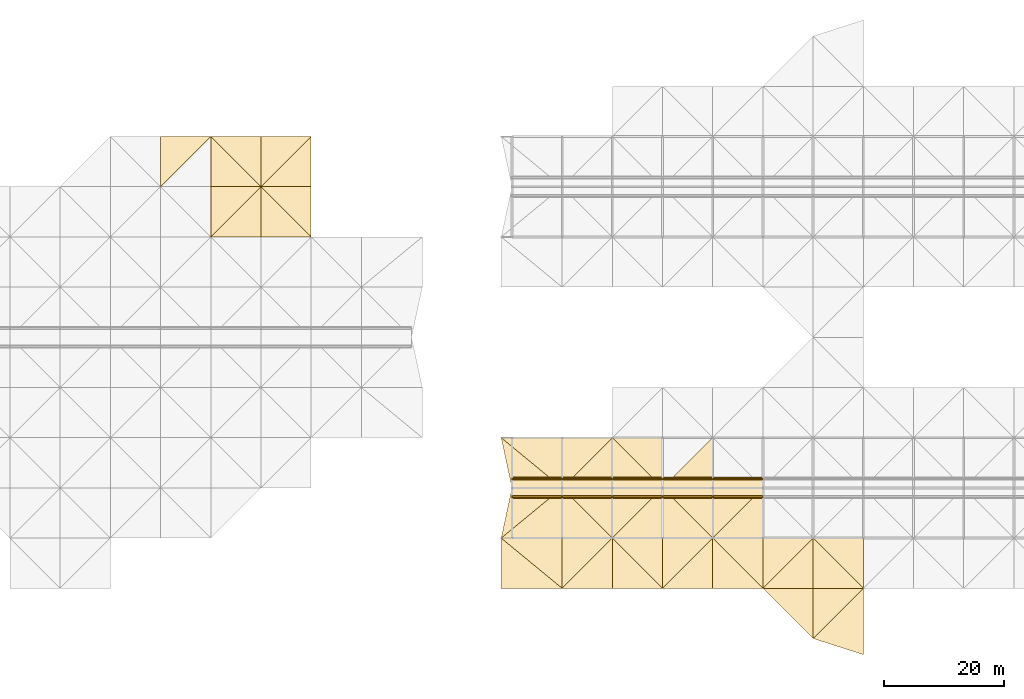
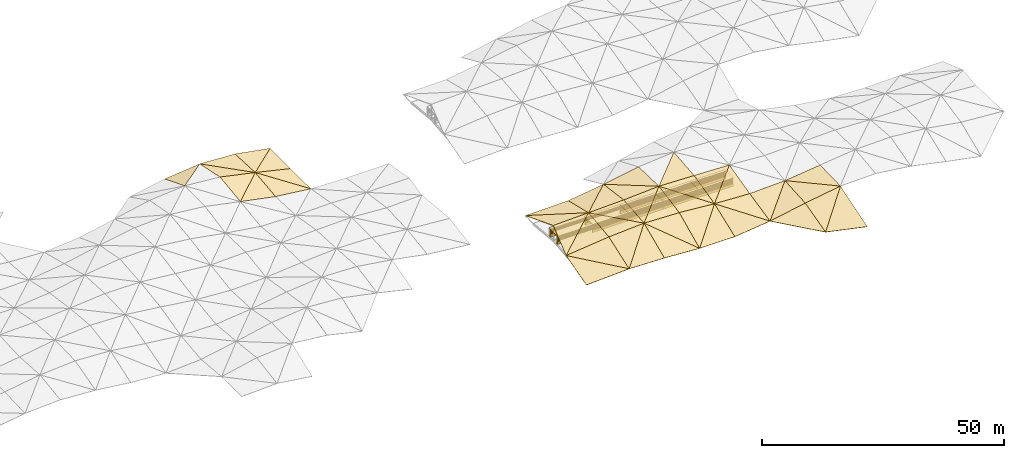
# One storey, part 42 of 46: 58 coverings, 40 shading devices.
"""IFC4 building model written with IfcOpenShell, lengths in metres."""

from ifc_helpers import new_model, si_unit, direction, frame, origin, origin_2d, place, context, subcontext, project, spatial, polyline, rectangle, outline, extrude, material, layer, layer_set, type_object, element, save


model = new_model("IFC4")

# Units and contexts
model_context = context("Model", 3, precision=1e-05, world=origin(), true_north=direction((0.0, 1.0)))
body_context = subcontext(model_context, "Body", "Model", "MODEL_VIEW")
ifc_project = project(units=[si_unit("LENGTHUNIT", "METRE"), si_unit("AREAUNIT", "SQUARE_METRE"), si_unit("VOLUMEUNIT", "CUBIC_METRE"), si_unit("PLANEANGLEUNIT", "RADIAN"), si_unit("MASSUNIT", "GRAM", prefix="KILO")], contexts=[model_context])

# Site, building, storey
site_placement = place(None, origin())
site = spatial("IfcSite", under=ifc_project, at=site_placement, CompositionType="ELEMENT")
building_placement = place(site_placement, origin())
building = spatial("IfcBuilding", under=site, at=building_placement, Name="Rain Tree Exposition and Congress Centre", CompositionType="ELEMENT")
storey_placement = place(building_placement, frame((0.0, 0.0, 27.0)))
storey = spatial("IfcBuildingStorey", under=building, at=storey_placement, Name="ROOF VAULT CREST", CompositionType="ELEMENT", Elevation=27.0)

# Shading devices
ifc_material_1 = material(Name="Aluminium", Category="aluminium")
ifc_layer_1 = layer(ifc_material_1, 0.0400390625)
ifc_layer_set_1 = layer_set([ifc_layer_1], Name="Aluminium")
shading_device_type = type_object("IfcShadingDeviceType", Name="Lantern louvre blade 40", PredefinedType="JALOUSIE", material=ifc_layer_set_1)
for number, where, z_axis, x_axis, name in (
    (1, (147.0, 124.5, 2.14990234375), (0.0, 0.0, 1.0), (1.0, 0.0, 0.0), "Lantern louvre S0.1"),
    (2, (147.0, 124.5, 2.469970703125), (0.0, 0.0, 1.0), (1.0, 0.0, 0.0), "Lantern louvre S0.2"),
    (3, (147.0, 124.5, 2.7900390625), (0.0, 0.0, 1.0), (1.0, 0.0, 0.0), "Lantern louvre S0.3"),
    (4, (147.0, 124.5, 3.10986328125), (0.0, 0.0, 1.0), (1.0, 0.0, 0.0), "Lantern louvre S0.4"),
    (5, (155.39990234375, 124.5, 2.14990234375), (0.0, 0.0, 1.0), (1.0, 0.0, 0.0), "Lantern louvre S1.1"),
    (6, (155.39990234375, 124.5, 2.469970703125), (0.0, 0.0, 1.0), (1.0, 0.0, 0.0), "Lantern louvre S1.2"),
    (7, (155.39990234375, 124.5, 2.7900390625), (0.0, 0.0, 1.0), (1.0, 0.0, 0.0), "Lantern louvre S1.3"),
    (8, (155.39990234375, 124.5, 3.10986328125), (0.0, 0.0, 1.0), (1.0, 0.0, 0.0), "Lantern louvre S1.4"),
    (9, (163.800048828125, 124.5, 2.14990234375), (0.0, 0.0, 1.0), (1.0, 0.0, 0.0), "Lantern louvre S2.1"),
    (10, (163.800048828125, 124.5, 2.469970703125), (0.0, 0.0, 1.0), (1.0, 0.0, 0.0), "Lantern louvre S2.2"),
    (11, (163.800048828125, 124.5, 2.7900390625), (0.0, 0.0, 1.0), (1.0, 0.0, 0.0), "Lantern louvre S2.3"),
    (12, (163.800048828125, 124.5, 3.10986328125), (0.0, 0.0, 1.0), (1.0, 0.0, 0.0), "Lantern louvre S2.4"),
    (13, (172.199951171875, 124.5, 2.14990234375), (0.0, 0.0, 1.0), (1.0, 0.0, 0.0), "Lantern louvre S3.1"),
    (14, (172.199951171875, 124.5, 2.469970703125), (0.0, 0.0, 1.0), (1.0, 0.0, 0.0), "Lantern louvre S3.2"),
    (15, (172.199951171875, 124.5, 2.7900390625), (0.0, 0.0, 1.0), (1.0, 0.0, 0.0), "Lantern louvre S3.3"),
    (16, (172.199951171875, 124.5, 3.10986328125), (0.0, 0.0, 1.0), (1.0, 0.0, 0.0), "Lantern louvre S3.4"),
    (17, (180.60009765625, 124.5, 2.14990234375), (0.0, 0.0, 1.0), (1.0, 0.0, 0.0), "Lantern louvre S4.1"),
    (18, (180.60009765625, 124.5, 2.469970703125), (0.0, 0.0, 1.0), (1.0, 0.0, 0.0), "Lantern louvre S4.2"),
    (19, (180.60009765625, 124.5, 2.7900390625), (0.0, 0.0, 1.0), (1.0, 0.0, 0.0), "Lantern louvre S4.3"),
    (20, (180.60009765625, 124.5, 3.10986328125), (0.0, 0.0, 1.0), (1.0, 0.0, 0.0), "Lantern louvre S4.4"),
    (21, (147.0, 127.5, 2.14990234375), (0.0, 0.0, 1.0), (1.0, 0.0, 0.0), "Lantern louvre N0.1"),
    (22, (147.0, 127.5, 2.469970703125), (0.0, 0.0, 1.0), (1.0, 0.0, 0.0), "Lantern louvre N0.2"),
    (23, (147.0, 127.5, 2.7900390625), (0.0, 0.0, 1.0), (1.0, 0.0, 0.0), "Lantern louvre N0.3"),
    (24, (147.0, 127.5, 3.10986328125), (0.0, 0.0, 1.0), (1.0, 0.0, 0.0), "Lantern louvre N0.4"),
    (25, (155.39990234375, 127.5, 2.14990234375), (0.0, 0.0, 1.0), (1.0, 0.0, 0.0), "Lantern louvre N1.1"),
    (26, (155.39990234375, 127.5, 2.469970703125), (0.0, 0.0, 1.0), (1.0, 0.0, 0.0), "Lantern louvre N1.2"),
    (27, (155.39990234375, 127.5, 2.7900390625), (0.0, 0.0, 1.0), (1.0, 0.0, 0.0), "Lantern louvre N1.3"),
    (28, (155.39990234375, 127.5, 3.10986328125), (0.0, 0.0, 1.0), (1.0, 0.0, 0.0), "Lantern louvre N1.4"),
    (29, (163.800048828125, 127.5, 2.14990234375), (0.0, 0.0, 1.0), (1.0, 0.0, 0.0), "Lantern louvre N2.1"),
    (30, (163.800048828125, 127.5, 2.469970703125), (0.0, 0.0, 1.0), (1.0, 0.0, 0.0), "Lantern louvre N2.2"),
    (31, (163.800048828125, 127.5, 2.7900390625), (0.0, 0.0, 1.0), (1.0, 0.0, 0.0), "Lantern louvre N2.3"),
    (32, (163.800048828125, 127.5, 3.10986328125), (0.0, 0.0, 1.0), (1.0, 0.0, 0.0), "Lantern louvre N2.4"),
    (33, (172.199951171875, 127.5, 2.14990234375), (0.0, 0.0, 1.0), (1.0, 0.0, 0.0), "Lantern louvre N3.1"),
    (34, (172.199951171875, 127.5, 2.469970703125), (0.0, 0.0, 1.0), (1.0, 0.0, 0.0), "Lantern louvre N3.2"),
    (35, (172.199951171875, 127.5, 2.7900390625), (0.0, 0.0, 1.0), (1.0, 0.0, 0.0), "Lantern louvre N3.3"),
    (36, (172.199951171875, 127.5, 3.10986328125), (0.0, 0.0, 1.0), (1.0, 0.0, 0.0), "Lantern louvre N3.4"),
    (37, (180.60009765625, 127.5, 2.14990234375), (0.0, 0.0, 1.0), (1.0, 0.0, 0.0), "Lantern louvre N4.1"),
    (38, (180.60009765625, 127.5, 2.469970703125), (0.0, 0.0, 1.0), (1.0, 0.0, 0.0), "Lantern louvre N4.2"),
    (39, (180.60009765625, 127.5, 2.7900390625), (0.0, 0.0, 1.0), (1.0, 0.0, 0.0), "Lantern louvre N4.3"),
    (40, (180.60009765625, 127.5, 3.10986328125), (0.0, 0.0, 1.0), (1.0, 0.0, 0.0), "Lantern louvre N4.4"),
):
    element("IfcShadingDevice", number, at=place(storey_placement, frame(where, z_axis=z_axis, x_axis=x_axis)), inside=storey, type_object=shading_device_type, Name=name, PredefinedType="JALOUSIE", context=body_context, shape_type="SweptSolid", body=[
        extrude(rectangle(XDim=8.300048828125, YDim=0.300048828125, at=origin_2d()), origin(), (0.0, 0.0, 1.0), 0.0400390625),
    ])

# Coverings
ifc_material_2 = material(Name="Aluminium composite", Category="aluminium")
ifc_layer_2 = layer(ifc_material_2, 0.1201171875)
ifc_layer_set_2 = layer_set([ifc_layer_2], Name="Aluminium composite")
covering_type_1 = type_object("IfcCoveringType", Name="Ridge lantern cap 120", PredefinedType="CLADDING", material=ifc_layer_set_2)
for number, where, z_axis, x_axis, name in (
    (41, (147.0, 126.0, 3.3798828125), (0.0, 0.0, 1.0), (1.0, 0.0, 0.0), "Lantern cap 0"),
    (42, (155.39990234375, 126.0, 3.3798828125), (0.0, 0.0, 1.0), (1.0, 0.0, 0.0), "Lantern cap 1"),
    (43, (163.800048828125, 126.0, 3.3798828125), (0.0, 0.0, 1.0), (1.0, 0.0, 0.0), "Lantern cap 2"),
    (44, (172.199951171875, 126.0, 3.3798828125), (0.0, 0.0, 1.0), (1.0, 0.0, 0.0), "Lantern cap 3"),
    (45, (180.60009765625, 126.0, 3.3798828125), (0.0, 0.0, 1.0), (1.0, 0.0, 0.0), "Lantern cap 4"),
):
    element("IfcCovering", number, at=place(storey_placement, frame(where, z_axis=z_axis, x_axis=x_axis)), inside=storey, type_object=covering_type_1, Name=name, PredefinedType="CLADDING", context=body_context, shape_type="SweptSolid", body=[
        extrude(rectangle(XDim=8.39990234375, YDim=3.60009765625, at=origin_2d()), origin(), (0.0, 0.0, 1.0), 0.1201171875),
    ])
ifc_material_3 = material(Name="Precast concrete C50/60", Category="concrete")
ifc_layer_3 = layer(ifc_material_3, 0.300048828125)
ifc_layer_set_3 = layer_set([ifc_layer_3], Name="Precast concrete C50/60")
covering_type_2 = type_object("IfcCoveringType", Name="Ridge lantern kerb 300", PredefinedType="CLADDING", material=ifc_layer_set_3)
for number, where, z_axis, x_axis, name in (
    (46, (147.0, 124.5, 1.2998046875), (0.0, 0.0, 1.0), (1.0, 0.0, 0.0), "Lantern kerb S0"),
    (47, (155.39990234375, 124.5, 1.2998046875), (0.0, 0.0, 1.0), (1.0, 0.0, 0.0), "Lantern kerb S1"),
    (48, (163.800048828125, 124.5, 1.2998046875), (0.0, 0.0, 1.0), (1.0, 0.0, 0.0), "Lantern kerb S2"),
    (49, (172.199951171875, 124.5, 1.2998046875), (0.0, 0.0, 1.0), (1.0, 0.0, 0.0), "Lantern kerb S3"),
    (50, (180.60009765625, 124.5, 1.2998046875), (0.0, 0.0, 1.0), (1.0, 0.0, 0.0), "Lantern kerb S4"),
    (51, (147.0, 127.5, 1.2998046875), (0.0, 0.0, 1.0), (1.0, 0.0, 0.0), "Lantern kerb N0"),
    (52, (155.39990234375, 127.5, 1.2998046875), (0.0, 0.0, 1.0), (1.0, 0.0, 0.0), "Lantern kerb N1"),
    (53, (163.800048828125, 127.5, 1.2998046875), (0.0, 0.0, 1.0), (1.0, 0.0, 0.0), "Lantern kerb N2"),
    (54, (172.199951171875, 127.5, 1.2998046875), (0.0, 0.0, 1.0), (1.0, 0.0, 0.0), "Lantern kerb N3"),
    (55, (180.60009765625, 127.5, 1.2998046875), (0.0, 0.0, 1.0), (1.0, 0.0, 0.0), "Lantern kerb N4"),
):
    element("IfcCovering", number, at=place(storey_placement, frame(where, z_axis=z_axis, x_axis=x_axis)), inside=storey, type_object=covering_type_2, Name=name, PredefinedType="CLADDING", context=body_context, shape_type="SweptSolid", body=[
        extrude(rectangle(XDim=8.39990234375, YDim=0.300048828125, at=origin_2d()), origin(), (0.0, 0.0, 1.0), 0.699951171875),
    ])
ifc_material_4 = material(Name="Aluminium composite cladding", Category="aluminium")
ifc_layer_4 = layer(ifc_material_4, 0.10009765625)
ifc_layer_set_4 = layer_set([ifc_layer_4], Name="Aluminium composite cladding")
covering_type_3 = type_object("IfcCoveringType", Name="Triangular aluminium roof skin facet 100", PredefinedType="CLADDING", material=ifc_layer_set_4)
covering_1_placement = place(storey_placement, frame((92.39990234375, 168.0, 3.313720703125), z_axis=(0.194248084466, -0.113085747893, 0.974412281996), x_axis=(0.980703265738, 0.0, -0.195502185593)))
element("IfcCovering", 56, at=covering_1_placement, inside=storey, type_object=covering_type_3, Name="Roof skin facet A245", PredefinedType="CLADDING", context=body_context, shape_type="SweptSolid", body=[
    extrude(outline(polyline([(0.0, 0.0), (8.565431336722511, -2.7755575615628914e-17), (8.374845343784921, 8.45413364814865), (0.0, 0.0)])), origin(), (0.0, 0.0, -1.0), 0.10009765625),
])
covering_2_placement = place(storey_placement, frame((92.39990234375, 168.0, 3.313720703125), z_axis=(0.208540908059, -0.127777291692, 0.969630678864), x_axis=(0.705893639994, 0.705873124005, -0.058798825013)))
element("IfcCovering", 57, at=covering_2_placement, inside=storey, type_object=covering_type_3, Name="Roof skin facet A246", PredefinedType="CLADDING", context=body_context, shape_type="SweptSolid", body=[
    extrude(outline(polyline([(0.0, 0.0), (11.900017238352014, 1.2490009027033011e-15), (5.864178914040559, 6.115150613814114), (0.0, 0.0)])), origin(), (0.0, 0.0, -1.0), 0.10009765625),
])
covering_3_placement = place(storey_placement, frame((100.800048828125, 168.0, 1.63916015625), z_axis=(0.11322078113, -0.114540303788, 0.986945577795), x_axis=(0.993484092007, 0.0, -0.113970868777)))
element("IfcCovering", 58, at=covering_3_placement, inside=storey, type_object=covering_type_3, Name="Roof skin facet A247", PredefinedType="CLADDING", context=body_context, shape_type="SweptSolid", body=[
    extrude(outline(polyline([(0.0, 0.0), (8.454994308750623, 1.3877787807814457e-17), (-0.11110490210633626, 8.455551694726436), (0.0, 0.0)])), origin(), (0.0, 0.0, -1.0), 0.10009765625),
])
covering_4_placement = place(storey_placement, frame((109.199951171875, 168.0, 0.675537109375), z_axis=(0.226099772712, 0.001302352811, 0.974103278229), x_axis=(0.0, 0.999999106249, -0.001336974914)))
element("IfcCovering", 59, at=covering_4_placement, inside=storey, type_object=covering_type_3, Name="Roof skin facet A248", PredefinedType="CLADDING", context=body_context, shape_type="SweptSolid", body=[
    extrude(outline(polyline([(0.0, 0.0), (8.399909851180851, 0.0), (8.397303141790628, 8.62320764549414), (0.0, 0.0)])), origin(), (0.0, 0.0, -1.0), 0.10009765625),
])
covering_5_placement = place(storey_placement, frame((84.0, 176.39990234375, 5.154052734375), z_axis=(-0.096429791077, 0.371537775725, 0.923396435234), x_axis=(0.691908540588, 0.6919286507, -0.206148766191)))
element("IfcCovering", 60, at=covering_5_placement, inside=storey, type_object=covering_type_3, Name="Roof skin facet A272", PredefinedType="CLADDING", context=body_context, shape_type="SweptSolid", body=[
    extrude(outline(polyline([(0.0, 0.0), (12.140191732012779, 6.661338147750939e-16), (6.509060694285373, 6.294298822212033), (0.0, 0.0)])), origin(), (0.0, 0.0, -1.0), 0.10009765625),
])
covering_6_placement = place(storey_placement, frame((92.39990234375, 176.39990234375, 4.420654296875), z_axis=(0.205943602186, 0.20168557906, 0.957554259516), x_axis=(0.977644543103, 0.0, -0.210264469991)))
element("IfcCovering", 61, at=covering_6_placement, inside=storey, type_object=covering_type_3, Name="Roof skin facet A273", PredefinedType="CLADDING", context=body_context, shape_type="SweptSolid", body=[
    extrude(outline(polyline([(0.0, 0.0), (8.592229705196322, 0.0), (0.3720182163138129, 8.5763885337063), (0.0, 0.0)])), origin(), (0.0, 0.0, -1.0), 0.10009765625),
])
covering_7_placement = place(storey_placement, frame((100.800048828125, 176.39990234375, 2.614013671875), z_axis=(0.051491674592, 0.047055736409, 0.997564216038), x_axis=(0.0, 0.998889318813, -0.047118242347)))
element("IfcCovering", 62, at=covering_7_placement, inside=storey, type_object=covering_type_3, Name="Roof skin facet A274", PredefinedType="CLADDING", context=body_context, shape_type="SweptSolid", body=[
    extrude(outline(polyline([(0.0, 0.0), (8.409486743095279, 3.469446951953614e-18), (8.389056567702637, 8.411304720846237), (0.0, 0.0)])), origin(), (0.0, 0.0, -1.0), 0.10009765625),
])
covering_8_placement = place(storey_placement, frame((100.800048828125, 176.39990234375, 2.614013671875), z_axis=(0.226098659652, -0.003397326647, 0.974098482842), x_axis=(0.97410410433, 0.0, -0.226099964459)))
element("IfcCovering", 63, at=covering_8_placement, inside=storey, type_object=covering_type_3, Name="Roof skin facet A275", PredefinedType="CLADDING", context=body_context, shape_type="SweptSolid", body=[
    extrude(outline(polyline([(0.0, 0.0), (8.623208039485215, -8.673617379884035e-19), (8.616584017088956, 8.40019496131904), (0.0, 0.0)])), origin(), (0.0, 0.0, -1.0), 0.10009765625),
])
covering_9_placement = place(storey_placement, frame((100.800048828125, 176.39990234375, 2.614013671875), z_axis=(0.178343633816, 0.046362855214, 0.982875390848), x_axis=(0.698034304724, 0.698054592881, -0.159586637242)))
element("IfcCovering", 64, at=covering_9_placement, inside=storey, type_object=covering_type_3, Name="Roof skin facet A276", PredefinedType="CLADDING", context=body_context, shape_type="SweptSolid", body=[
    extrude(outline(polyline([(0.0, 0.0), (12.033652625521588, -6.38378239159465e-16), (5.9269954808318115, 5.965751574822281), (0.0, 0.0)])), origin(), (0.0, 0.0, -1.0), 0.10009765625),
])
covering_10_placement = place(storey_placement, frame((193.199951171875, 100.800048828125, 1.086181640625), z_axis=(-0.182604416552, -0.252016744308, 0.950338459521), x_axis=(0.0, 0.966590257617, 0.25632649859)))
element("IfcCovering", 65, at=covering_10_placement, inside=storey, type_object=covering_type_3, Name="Roof skin facet B12", PredefinedType="CLADDING", context=body_context, shape_type="SweptSolid", body=[
    extrude(outline(polyline([(0.0, 0.0), (8.69024105876817, 1.1102230246251565e-16), (8.276526585579523, 8.543549604948193), (0.0, 0.0)])), origin(), (0.0, 0.0, -1.0), 0.10009765625),
])
covering_11_placement = place(storey_placement, frame((193.199951171875, 100.800048828125, 1.086181640625), z_axis=(-0.104187535178, -0.299106083112, 0.94851489633), x_axis=(0.952000655635, -0.305989340851, 0.008079291756)))
element("IfcCovering", 66, at=covering_11_placement, inside=storey, type_object=covering_type_3, Name="Roof skin facet B13", PredefinedType="CLADDING", context=body_context, shape_type="SweptSolid", body=[
    extrude(outline(polyline([(0.0, 0.0), (8.823677205105533, 5.204170427930421e-16), (5.455519837942322, 11.140645091839902), (0.0, 0.0)])), origin(), (0.0, 0.0, -1.0), 0.10009765625),
])
covering_12_placement = place(storey_placement, frame((193.199951171875, 100.800048828125, 1.086181640625), z_axis=(-0.152834205071, -0.253315134715, 0.955234603793), x_axis=(0.677174304199, 0.677154622904, 0.287917659085)))
element("IfcCovering", 67, at=covering_12_placement, inside=storey, type_object=covering_type_3, Name="Roof skin facet B14", PredefinedType="CLADDING", context=body_context, shape_type="SweptSolid", body=[
    extrude(outline(polyline([(0.0, 0.0), (12.404703533922879, -6.938893903907228e-16), (6.329380536407228, 5.954765460104157), (0.0, 0.0)])), origin(), (0.0, 0.0, -1.0), 0.10009765625),
])
covering_13_placement = place(storey_placement, frame((141.0, 109.199951171875, 0.92333984375), z_axis=(-0.049053708949, -0.268009559428, 0.962166622625), x_axis=(0.99870291775, 0.0, 0.05091642248)))
element("IfcCovering", 68, at=covering_13_placement, inside=storey, type_object=covering_type_3, Name="Roof skin facet B25", PredefinedType="CLADDING", context=body_context, shape_type="SweptSolid", body=[
    extrude(outline(polyline([(0.0, 0.0), (10.21319853040739, 0.0), (0.11913647291302652, 8.719124740144137), (0.0, 0.0)])), origin(), (0.0, 0.0, -1.0), 0.10009765625),
])
covering_14_placement = place(storey_placement, frame((151.199951171875, 109.199951171875, 1.443359375), z_axis=(-0.103631286108, -0.329168280904, 0.938567418669), x_axis=(0.0, 0.94364822513, 0.330950188411)))
element("IfcCovering", 69, at=covering_14_placement, inside=storey, type_object=covering_type_3, Name="Roof skin facet B26", PredefinedType="CLADDING", context=body_context, shape_type="SweptSolid", body=[
    extrude(outline(polyline([(0.0, 0.0), (8.901777442773053, -5.551115123125783e-17), (8.529054488881911, 10.25516721367449), (0.0, 0.0)])), origin(), (0.0, 0.0, -1.0), 0.10009765625),
])
covering_15_placement = place(storey_placement, frame((151.199951171875, 109.199951171875, 1.443359375), z_axis=(0.02473047034, -0.402814155596, 0.914947626855), x_axis=(0.99963490625, 0.0, -0.027019515297)))
element("IfcCovering", 70, at=covering_15_placement, inside=storey, type_object=covering_type_3, Name="Roof skin facet B27", PredefinedType="CLADDING", context=body_context, shape_type="SweptSolid", body=[
    extrude(outline(polyline([(0.0, 0.0), (8.40321444545026, 0.0), (8.303289734094331, 9.177661537037793), (0.0, 0.0)])), origin(), (0.0, 0.0, -1.0), 0.10009765625),
])
covering_16_placement = place(storey_placement, frame((151.199951171875, 109.199951171875, 1.443359375), z_axis=(-0.058891053141, -0.330375796494, 0.942010444184), x_axis=(0.678725557071, 0.678725557071, 0.28046967101)))
element("IfcCovering", 71, at=covering_16_placement, inside=storey, type_object=covering_type_3, Name="Roof skin facet B28", PredefinedType="CLADDING", context=body_context, shape_type="SweptSolid", body=[
    extrude(outline(polyline([(0.0, 0.0), (12.37635211589987, 3.3306690738754696e-16), (6.527670352107025, 6.052368248453336), (0.0, 0.0)])), origin(), (0.0, 0.0, -1.0), 0.10009765625),
])
covering_17_placement = place(storey_placement, frame((159.60009765625, 109.199951171875, 1.21630859375), z_axis=(0.054397799493, -0.402340780068, 0.913872406906), x_axis=(0.998233110761, 0.0, -0.059419328339)))
element("IfcCovering", 72, at=covering_17_placement, inside=storey, type_object=covering_type_3, Name="Roof skin facet B29", PredefinedType="CLADDING", context=body_context, shape_type="SweptSolid", body=[
    extrude(outline(polyline([(0.0, 0.0), (8.414770310860346, -2.7755575615628914e-17), (-0.21974706681696, 9.175574503157163), (0.0, 0.0)])), origin(), (0.0, 0.0, -1.0), 0.10009765625),
])
covering_18_placement = place(storey_placement, frame((168.0, 109.199951171875, 0.71630859375), z_axis=(0.030118476276, -0.422594169511, 0.905818439469), x_axis=(0.0, 0.90622956339, 0.422785972376)))
element("IfcCovering", 73, at=covering_18_placement, inside=storey, type_object=covering_type_3, Name="Roof skin facet B30", PredefinedType="CLADDING", context=body_context, shape_type="SweptSolid", body=[
    extrude(outline(polyline([(0.0, 0.0), (9.269336185581112, -1.3877787807814457e-17), (9.387418986459537, 8.403714808408138), (0.0, 0.0)])), origin(), (0.0, 0.0, -1.0), 0.10009765625),
])
covering_19_placement = place(storey_placement, frame((168.0, 109.199951171875, 0.71630859375), z_axis=(-0.001330719468, -0.356269414665, 0.934382327187), x_axis=(0.999998985871, 0.0, 0.001424168759)))
element("IfcCovering", 74, at=covering_19_placement, inside=storey, type_object=covering_type_3, Name="Roof skin facet B31", PredefinedType="CLADDING", context=body_context, shape_type="SweptSolid", body=[
    extrude(outline(polyline([(0.0, 0.0), (8.399910862341866, -8.673617379884035e-19), (8.404472305199238, 8.990043712438082), (0.0, 0.0)])), origin(), (0.0, 0.0, -1.0), 0.10009765625),
])
covering_20_placement = place(storey_placement, frame((168.0, 109.199951171875, 0.71630859375), z_axis=(0.075744288916, -0.421571424575, 0.903626215135), x_axis=(0.682544446394, 0.682564284342, 0.261226102137)))
element("IfcCovering", 75, at=covering_20_placement, inside=storey, type_object=covering_type_3, Name="Roof skin facet B32", PredefinedType="CLADDING", context=body_context, shape_type="SweptSolid", body=[
    extrude(outline(polyline([(0.0, 0.0), (12.306747770244115, 6.661338147750939e-16), (6.757370781947092, 6.344961263602101), (0.0, 0.0)])), origin(), (0.0, 0.0, -1.0), 0.10009765625),
])
covering_21_placement = place(storey_placement, frame((176.39990234375, 109.199951171875, 0.728271484375), z_axis=(-0.107431428237, -0.354207817804, 0.928975408734), x_axis=(0.99337944155, 0.0, 0.114879437264)))
element("IfcCovering", 76, at=covering_21_placement, inside=storey, type_object=covering_type_3, Name="Roof skin facet B33", PredefinedType="CLADDING", context=body_context, shape_type="SweptSolid", body=[
    extrude(outline(polyline([(0.0, 0.0), (8.45613079254868, -5.551115123125783e-17), (0.36794515074720696, 8.982512072040317), (0.0, 0.0)])), origin(), (0.0, 0.0, -1.0), 0.10009765625),
])
covering_22_placement = place(storey_placement, frame((184.800048828125, 109.199951171875, 1.69970703125), z_axis=(0.044863093672, -0.214333288226, 0.975729749667), x_axis=(0.0, 0.976713158649, 0.214549308369)))
element("IfcCovering", 77, at=covering_22_placement, inside=storey, type_object=covering_type_3, Name="Roof skin facet B34", PredefinedType="CLADDING", context=body_context, shape_type="SweptSolid", body=[
    extrude(outline(polyline([(0.0, 0.0), (8.600423174388165, 0.0), (8.683288654329706, 8.408612742074794), (0.0, 0.0)])), origin(), (0.0, 0.0, -1.0), 0.10009765625),
])
covering_23_placement = place(storey_placement, frame((184.800048828125, 109.199951171875, 1.69970703125), z_axis=(-0.188287565326, -0.065675163572, 0.979915591076), x_axis=(0.982035751342, 0.0, 0.188694947164)))
element("IfcCovering", 78, at=covering_23_placement, inside=storey, type_object=covering_type_3, Name="Roof skin facet B35", PredefinedType="CLADDING", context=body_context, shape_type="SweptSolid", body=[
    extrude(outline(polyline([(0.0, 0.0), (8.553560633884358, -1.3877787807814457e-17), (8.659793677868786, 8.41832116898306), (0.0, 0.0)])), origin(), (0.0, 0.0, -1.0), 0.10009765625),
])
covering_24_placement = place(storey_placement, frame((184.800048828125, 109.199951171875, 1.69970703125), z_axis=(-0.038550441837, -0.214389824308, 0.975987124232), x_axis=(0.695514033792, 0.695534248697, 0.180256311089)))
element("IfcCovering", 79, at=covering_24_placement, inside=storey, type_object=covering_type_3, Name="Roof skin facet B36", PredefinedType="CLADDING", context=body_context, shape_type="SweptSolid", body=[
    extrude(outline(polyline([(0.0, 0.0), (12.077257877821625, 5.551115123125783e-17), (6.175201194858363, 5.986164797395145), (0.0, 0.0)])), origin(), (0.0, 0.0, -1.0), 0.10009765625),
])
covering_25_placement = place(storey_placement, frame((193.199951171875, 109.199951171875, 3.313720703125), z_axis=(-0.157642304913, -0.066035087217, 0.985285882857), x_axis=(0.987441169175, 0.0, 0.157987143207)))
element("IfcCovering", 80, at=covering_25_placement, inside=storey, type_object=covering_type_3, Name="Roof skin facet B37", PredefinedType="CLADDING", context=body_context, shape_type="SweptSolid", body=[
    extrude(outline(polyline([(0.0, 0.0), (8.506984260535104, -1.3877787807814457e-17), (0.08894491021345145, 8.41852157844414), (0.0, 0.0)])), origin(), (0.0, 0.0, -1.0), 0.10009765625),
])
covering_26_placement = place(storey_placement, frame((201.60009765625, 109.199951171875, 4.65771484375), z_axis=(-0.118936810599, -0.026654769099, 0.99254398309), x_axis=(0.0, 0.999639599402, 0.026845321878)))
element("IfcCovering", 81, at=covering_26_placement, inside=storey, type_object=covering_type_3, Name="Roof skin facet B38", PredefinedType="CLADDING", context=body_context, shape_type="SweptSolid", body=[
    extrude(outline(polyline([(0.0, 0.0), (8.403174993664921, 0.0), (8.376152712878309, 8.460198449258435), (0.0, 0.0)])), origin(), (0.0, 0.0, -1.0), 0.10009765625),
])
covering_27_placement = place(storey_placement, frame((141.0, 117.60009765625, 3.26318359375), z_axis=(-0.108971124635, -0.118726389382, 0.986929246937), x_axis=(0.993959514003, 0.0, 0.109747366813)))
element("IfcCovering", 82, at=covering_27_placement, inside=storey, type_object=covering_type_3, Name="Roof skin facet B49", PredefinedType="CLADDING", context=body_context, shape_type="SweptSolid", body=[
    extrude(outline(polyline([(0.0, 0.0), (10.261938266272194, 0.0), (10.372837766086805, 8.459737997610555), (0.0, 0.0)])), origin(), (0.0, 0.0, -1.0), 0.10009765625),
])
covering_28_placement = place(storey_placement, frame((141.0, 117.60009765625, 3.26318359375), z_axis=(-0.03223919746, -0.209449013048, 0.977287954024), x_axis=(0.762033412899, 0.627552636593, 0.159633223143)))
element("IfcCovering", 83, at=covering_28_placement, inside=storey, type_object=covering_type_3, Name="Roof skin facet B50", PredefinedType="CLADDING", context=body_context, shape_type="SweptSolid", body=[
    extrude(outline(polyline([(0.0, 0.0), (13.385175766861357, -2.220446049250313e-16), (6.939935212058621, 5.393887074158918), (0.0, 0.0)])), origin(), (0.0, 0.0, -1.0), 0.10009765625),
])
covering_29_placement = place(storey_placement, frame((151.199951171875, 117.60009765625, 4.389404296875), z_axis=(-0.061949620836, -0.119208244121, 0.990934729945), x_axis=(0.998051562533, 0.0, 0.062394539222)))
element("IfcCovering", 84, at=covering_29_placement, inside=storey, type_object=covering_type_3, Name="Roof skin facet B51", PredefinedType="CLADDING", context=body_context, shape_type="SweptSolid", body=[
    extrude(outline(polyline([(0.0, 0.0), (8.416545597156182, 0.0), (0.06304956001943503, 8.460229928332698), (0.0, 0.0)])), origin(), (0.0, 0.0, -1.0), 0.10009765625),
])
covering_30_placement = place(storey_placement, frame((159.60009765625, 117.60009765625, 4.91455078125), z_axis=(-0.03283470107, -0.090348680015, 0.99536877509), x_axis=(0.0, 0.995905771633, 0.090397422682)))
element("IfcCovering", 85, at=covering_30_placement, inside=storey, type_object=covering_type_3, Name="Roof skin facet B52", PredefinedType="CLADDING", context=body_context, shape_type="SweptSolid", body=[
    extrude(outline(polyline([(0.0, 0.0), (8.434434846154799, 3.469446951953614e-18), (8.409385755640999, 8.404678321954854), (0.0, 0.0)])), origin(), (0.0, 0.0, -1.0), 0.10009765625),
])
covering_31_placement = place(storey_placement, frame((159.60009765625, 117.60009765625, 4.91455078125), z_axis=(0.032676763239, -0.181978722548, 0.982759367131), x_axis=(0.999447676196, 0.0, -0.033231649758)))
element("IfcCovering", 86, at=covering_31_placement, inside=storey, type_object=covering_type_3, Name="Roof skin facet B53", PredefinedType="CLADDING", context=body_context, shape_type="SweptSolid", body=[
    extrude(outline(polyline([(0.0, 0.0), (8.404544373666042, 0.0), (8.352855203595906, 8.542541703006187), (0.0, 0.0)])), origin(), (0.0, 0.0, -1.0), 0.10009765625),
])
covering_32_placement = place(storey_placement, frame((159.60009765625, 117.60009765625, 4.91455078125), z_axis=(-0.060789124057, -0.090230244502, 0.994063974487), x_axis=(0.703061743693, 0.703061743693, 0.106809967281)))
element("IfcCovering", 87, at=covering_32_placement, inside=storey, type_object=covering_type_3, Name="Roof skin facet B54", PredefinedType="CLADDING", context=body_context, shape_type="SweptSolid", body=[
    extrude(outline(polyline([(0.0, 0.0), (11.94760263817972, -7.91033905045424e-16), (5.987087373369613, 5.9409154141149365), (0.0, 0.0)])), origin(), (0.0, 0.0, -1.0), 0.10009765625),
])
covering_33_placement = place(storey_placement, frame((168.0, 117.60009765625, 4.63525390625), z_axis=(0.082142911678, -0.181460641573, 0.979961518439), x_axis=(0.996505291992, 0.0, -0.08352965361)))
element("IfcCovering", 88, at=covering_33_placement, inside=storey, type_object=covering_type_3, Name="Roof skin facet B55", PredefinedType="CLADDING", context=body_context, shape_type="SweptSolid", body=[
    extrude(outline(polyline([(0.0, 0.0), (8.429360497383636, 0.0), (-0.12992368729226178, 8.541710036835877), (0.0, 0.0)])), origin(), (0.0, 0.0, -1.0), 0.10009765625),
])
covering_34_placement = place(storey_placement, frame((176.39990234375, 117.60009765625, 3.93115234375), z_axis=(0.026575337974, -0.234800595021, 0.971680210764), x_axis=(0.0, 0.972023516507, 0.234883552759)))
element("IfcCovering", 89, at=covering_34_placement, inside=storey, type_object=covering_type_3, Name="Roof skin facet B56", PredefinedType="CLADDING", context=body_context, shape_type="SweptSolid", body=[
    extrude(outline(polyline([(0.0, 0.0), (8.64166576332767, 6.938893903907228e-18), (8.695627048275576, 8.402870125422853), (0.0, 0.0)])), origin(), (0.0, 0.0, -1.0), 0.10009765625),
])
covering_35_placement = place(storey_placement, frame((176.39990234375, 117.60009765625, 3.93115234375), z_axis=(0.044521640909, -0.245776732385, 0.968303475832), x_axis=(0.998944638086, 0.0, -0.045930491396)))
element("IfcCovering", 90, at=covering_35_placement, inside=storey, type_object=covering_type_3, Name="Roof skin facet B57", PredefinedType="CLADDING", context=body_context, shape_type="SweptSolid", body=[
    extrude(outline(polyline([(0.0, 0.0), (8.409021044922442, -1.3877787807814457e-17), (8.311093559239195, 8.665710302775071), (0.0, 0.0)])), origin(), (0.0, 0.0, -1.0), 0.10009765625),
])
covering_36_placement = place(storey_placement, frame((176.39990234375, 117.60009765625, 3.93115234375), z_axis=(0.032837901598, -0.234756877871, 0.971499295168), x_axis=(0.699602255276, 0.699581922138, 0.145402264873)))
element("IfcCovering", 91, at=covering_36_placement, inside=storey, type_object=covering_type_3, Name="Roof skin facet B58", PredefinedType="CLADDING", context=body_context, shape_type="SweptSolid", body=[
    extrude(outline(polyline([(0.0, 0.0), (12.007031739861825, -7.216449660063518e-16), (6.1715551863398135, 6.048991134646483), (0.0, 0.0)])), origin(), (0.0, 0.0, -1.0), 0.10009765625),
])
covering_37_placement = place(storey_placement, frame((142.800048828125, 126.0, 5.122802734375), z_axis=(-0.032153644785, 0.221216404405, 0.974694539612), x_axis=(0.999456325364, 0.0, 0.032970497276)))
element("IfcCovering", 92, at=covering_37_placement, inside=storey, type_object=covering_type_3, Name="Roof skin facet B73", PredefinedType="CLADDING", context=body_context, shape_type="SweptSolid", body=[
    extrude(outline(polyline([(0.0, 0.0), (8.40447164181381, -6.938893903907228e-18), (-1.8638842604918453, 8.613299027242658), (0.0, 0.0)])), origin(), (0.0, 0.0, -1.0), 0.10009765625),
])
covering_38_placement = place(storey_placement, frame((151.199951171875, 126.0, 5.39990234375), z_axis=(-0.018483573338, 0.236923498665, 0.971352466048), x_axis=(0.0, 0.97151843621, -0.236963980604)))
element("IfcCovering", 93, at=covering_38_placement, inside=storey, type_object=covering_type_3, Name="Roof skin facet B74", PredefinedType="CLADDING", context=body_context, shape_type="SweptSolid", body=[
    extrude(outline(polyline([(0.0, 0.0), (8.6461584573918, 0.0), (8.692151222181963, 10.201693986776673), (0.0, 0.0)])), origin(), (0.0, 0.0, -1.0), 0.10009765625),
])
covering_39_placement = place(storey_placement, frame((151.199951171875, 126.0, 5.39990234375), z_axis=(-0.032668646213, 0.134794464094, 0.990334898913), x_axis=(0.99945635694, 0.0, 0.032969540068)))
element("IfcCovering", 94, at=covering_39_placement, inside=storey, type_object=covering_type_3, Name="Roof skin facet B75", PredefinedType="CLADDING", context=body_context, shape_type="SweptSolid", body=[
    extrude(outline(polyline([(0.0, 0.0), (8.404715649709598, 6.938893903907228e-18), (8.367021226823997, 8.4772694614254), (0.0, 0.0)])), origin(), (0.0, 0.0, -1.0), 0.10009765625),
])
covering_40_placement = place(storey_placement, frame((151.199951171875, 126.0, 5.39990234375), z_axis=(-0.135513827744, 0.234778095733, 0.962556620804), x_axis=(0.705244694355, 0.705224197226, -0.072723811305)))
element("IfcCovering", 95, at=covering_40_placement, inside=storey, type_object=covering_type_3, Name="Roof skin facet B76", PredefinedType="CLADDING", context=body_context, shape_type="SweptSolid", body=[
    extrude(outline(polyline([(0.0, 0.0), (11.910967287829276, 1.3877787807814457e-15), (6.072812977110591, 6.1544291868023775), (0.0, 0.0)])), origin(), (0.0, 0.0, -1.0), 0.10009765625),
])
covering_41_placement = place(storey_placement, frame((159.60009765625, 126.0, 5.677001953125), z_axis=(-0.060482494749, 0.13461954511, 0.989049769174), x_axis=(0.998135436716, 0.0, 0.061038102623)))
element("IfcCovering", 96, at=covering_41_placement, inside=storey, type_object=covering_type_3, Name="Roof skin facet B77", PredefinedType="CLADDING", context=body_context, shape_type="SweptSolid", body=[
    extrude(outline(polyline([(0.0, 0.0), (8.415593750871222, 0.0), (-0.0697855064902293, 8.477066023938722), (0.0, 0.0)])), origin(), (0.0, 0.0, -1.0), 0.10009765625),
])
covering_42_placement = place(storey_placement, frame((168.0, 126.0, 6.190673828125), z_axis=(-0.17152874532, 0.022757902625, 0.984916223542), x_axis=(0.0, 0.999733153181, -0.023100269045)))
element("IfcCovering", 97, at=covering_42_placement, inside=storey, type_object=covering_type_3, Name="Roof skin facet B78", PredefinedType="CLADDING", context=body_context, shape_type="SweptSolid", body=[
    extrude(outline(polyline([(0.0, 0.0), (8.402144429260362, 6.938893903907228e-18), (8.43593759628199, 8.526269195088336), (0.0, 0.0)])), origin(), (0.0, 0.0, -1.0), 0.10009765625),
])
covering_43_placement = place(storey_placement, frame((168.0, 126.0, 6.190673828125), z_axis=(0.027219102862, -0.093806111138, 0.995218334815), x_axis=(0.999626201701, 0.0, -0.027339657496)))
element("IfcCovering", 98, at=covering_43_placement, inside=storey, type_object=covering_type_3, Name="Roof skin facet B79", PredefinedType="CLADDING", context=body_context, shape_type="SweptSolid", body=[
    extrude(outline(polyline([(0.0, 0.0), (8.403043387070968, 0.0), (8.381397266646424, 8.43710589003941), (0.0, 0.0)])), origin(), (0.0, 0.0, -1.0), 0.10009765625),
])

save(model, "model.ifc")
